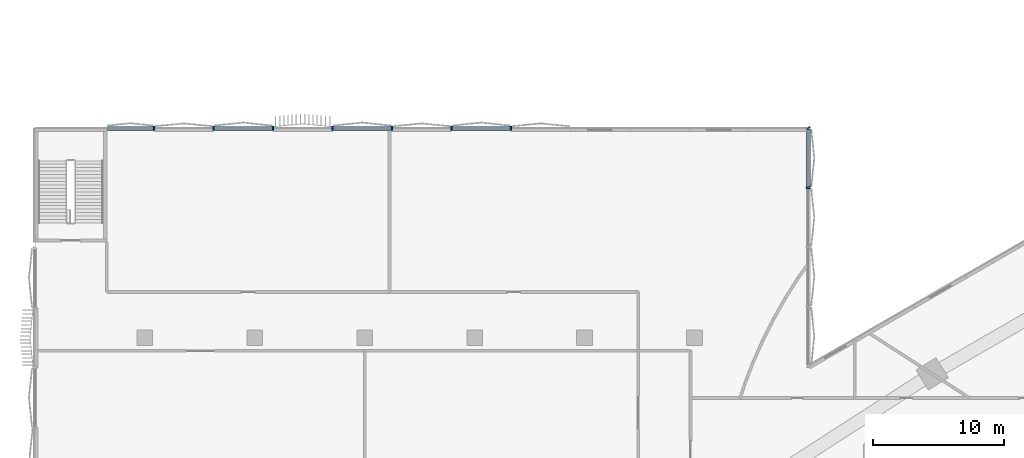
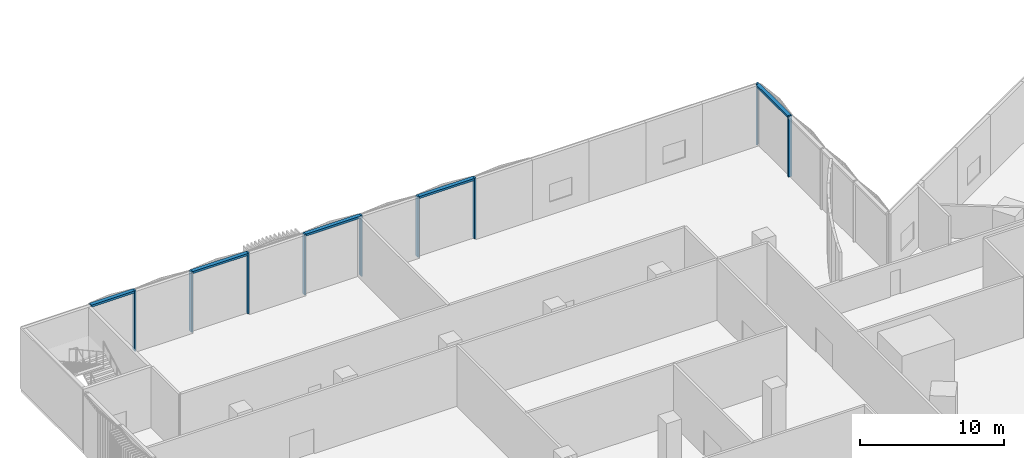
# One storey, part 8 of 31: 14 members, 2 elements without a shape of their own.
"""IFC4 building model written with IfcOpenShell, lengths in metres."""

from ifc_helpers import new_model, si_unit, direction, frame, origin, origin_2d, place, context, subcontext, project, spatial, rectangle, extrude, material, material_profile, profile_set, type_object, element, aggregate, save


model = new_model("IFC4")

# Units and contexts
model_context = context("Model", 3, precision=1e-05, world=origin(), true_north=direction((0.0, 1.0)))
body_context = subcontext(model_context, "Body", "Model", "MODEL_VIEW")
ifc_project = project(units=[si_unit("LENGTHUNIT", "METRE"), si_unit("AREAUNIT", "SQUARE_METRE"), si_unit("VOLUMEUNIT", "CUBIC_METRE"), si_unit("PLANEANGLEUNIT", "RADIAN"), si_unit("MASSUNIT", "GRAM", prefix="KILO")], contexts=[model_context])

# Site, building, storey
site_placement = place(None, origin())
site = spatial("IfcSite", under=ifc_project, at=site_placement, CompositionType="ELEMENT")
building_placement = place(site_placement, origin())
building = spatial("IfcBuilding", under=site, at=building_placement, Name="Tamra Quay Hotel Tower", CompositionType="ELEMENT")
storey_placement = place(building_placement, frame((0.0, 0.0, 14.0)))
storey = spatial("IfcBuildingStorey", under=building, at=storey_placement, Name="L02", CompositionType="ELEMENT", Elevation=14.0)

# Curtain wall, members
ifc_material = material(Name="Aluminium 6063 anodised dark grey", Category="aluminium")
curtain_wall_type = type_object("IfcCurtainWallType", Name="CW4 CURTAIN WALL", PredefinedType="NOTDEFINED", material=ifc_material)
curtain_wall_1_placement = place(storey_placement, origin())
curtain_wall_1 = element("IfcCurtainWall", 1, at=curtain_wall_1_placement, inside=storey, type_object=curtain_wall_type, Name="CW4 east face L02", PredefinedType="NOTDEFINED")
ifc_material_profile_1 = material_profile(ifc_material, rectangle(XDim=0.300048828125, YDim=0.1201171875, at=origin_2d()), Name="MULLION 120X300")
ifc_profile_set_1 = profile_set([ifc_material_profile_1], Name="Aluminium 6063 anodised dark grey")
member_type_1 = type_object("IfcMemberType", Name="MULLION CW4", PredefinedType="MULLION", material=ifc_profile_set_1)
member_1_placement = place(storey_placement, frame((-30.0, 27.464111328125, 0.0), z_axis=(0.0, 0.0, 1.0), x_axis=(1.0, 0.0, 0.0)))
member_1 = element("IfcMember", 2, at=member_1_placement, type_object=member_type_1, Name="CW4 mullion L02.E.21", PredefinedType="MULLION", context=body_context, shape_type="SweptSolid", body=[
    extrude(rectangle(XDim=0.300048828125, YDim=0.1201171875, at=origin_2d()), origin(), (0.0, 0.0, 1.0), 5.14990234375),
])
member_2_placement = place(storey_placement, frame((-30.0, 32.0, 0.0), z_axis=(0.0, 0.0, 1.0), x_axis=(0.707106781187, 0.707106781187, 0.0)))
member_2 = element("IfcMember", 3, at=member_2_placement, type_object=member_type_1, Name="CW4 mullion L02.E.22", PredefinedType="MULLION", context=body_context, shape_type="SweptSolid", body=[
    extrude(rectangle(XDim=0.300048828125, YDim=0.1201171875, at=origin_2d()), origin(), (0.0, 0.0, 1.0), 5.14990234375),
])

curtain_wall_2_placement = place(storey_placement, origin())
curtain_wall_2 = element("IfcCurtainWall", 4, at=curtain_wall_2_placement, inside=storey, type_object=curtain_wall_type, Name="CW4 north-west face L02", PredefinedType="NOTDEFINED")
member_3_placement = place(storey_placement, frame((-52.730712890625, 32.0, 0.0), z_axis=(0.0, 0.0, 1.0), x_axis=(0.0, 1.0, 0.0)))
member_3 = element("IfcMember", 5, at=member_3_placement, type_object=member_type_1, Name="CW4 mullion L02.NW.1", PredefinedType="MULLION", context=body_context, shape_type="SweptSolid", body=[
    extrude(rectangle(XDim=0.300048828125, YDim=0.1201171875, at=origin_2d()), origin(), (0.0, 0.0, 1.0), 5.14990234375),
])
member_4_placement = place(storey_placement, frame((-57.27685546875, 32.0, 0.0), z_axis=(0.0, 0.0, 1.0), x_axis=(0.0, 1.0, 0.0)))
member_4 = element("IfcMember", 6, at=member_4_placement, type_object=member_type_1, Name="CW4 mullion L02.NW.2", PredefinedType="MULLION", context=body_context, shape_type="SweptSolid", body=[
    extrude(rectangle(XDim=0.300048828125, YDim=0.1201171875, at=origin_2d()), origin(), (0.0, 0.0, 1.0), 5.14990234375),
])
member_5_placement = place(storey_placement, frame((-61.822998046875, 32.0, 0.0), z_axis=(0.0, 0.0, 1.0), x_axis=(0.0, 1.0, 0.0)))
member_5 = element("IfcMember", 7, at=member_5_placement, type_object=member_type_1, Name="CW4 mullion L02.NW.2", PredefinedType="MULLION", context=body_context, shape_type="SweptSolid", body=[
    extrude(rectangle(XDim=0.300048828125, YDim=0.1201171875, at=origin_2d()), origin(), (0.0, 0.0, 1.0), 5.14990234375),
])
member_6_placement = place(storey_placement, frame((-66.369140625, 32.0, 0.0), z_axis=(0.0, 0.0, 1.0), x_axis=(0.0, 1.0, 0.0)))
member_6 = element("IfcMember", 8, at=member_6_placement, type_object=member_type_1, Name="CW4 mullion L02.NW.3", PredefinedType="MULLION", context=body_context, shape_type="SweptSolid", body=[
    extrude(rectangle(XDim=0.300048828125, YDim=0.1201171875, at=origin_2d()), origin(), (0.0, 0.0, 1.0), 5.14990234375),
])
member_7_placement = place(storey_placement, frame((-70.915283203125, 32.0, 0.0), z_axis=(0.0, 0.0, 1.0), x_axis=(0.0, 1.0, 0.0)))
member_7 = element("IfcMember", 9, at=member_7_placement, type_object=member_type_1, Name="CW4 mullion L02.NW.3", PredefinedType="MULLION", context=body_context, shape_type="SweptSolid", body=[
    extrude(rectangle(XDim=0.300048828125, YDim=0.1201171875, at=origin_2d()), origin(), (0.0, 0.0, 1.0), 5.14990234375),
])
member_8_placement = place(storey_placement, frame((-75.46142578125, 32.0, 0.0), z_axis=(0.0, 0.0, 1.0), x_axis=(0.0, 1.0, 0.0)))
member_8 = element("IfcMember", 10, at=member_8_placement, type_object=member_type_1, Name="CW4 mullion L02.NW.4", PredefinedType="MULLION", context=body_context, shape_type="SweptSolid", body=[
    extrude(rectangle(XDim=0.300048828125, YDim=0.1201171875, at=origin_2d()), origin(), (0.0, 0.0, 1.0), 5.14990234375),
])
member_9_placement = place(storey_placement, frame((-80.0078125, 32.0, 0.0), z_axis=(0.0, 0.0, 1.0), x_axis=(0.0, 1.0, 0.0)))
member_9 = element("IfcMember", 11, at=member_9_placement, type_object=member_type_1, Name="CW4 mullion L02.NW.4", PredefinedType="MULLION", context=body_context, shape_type="SweptSolid", body=[
    extrude(rectangle(XDim=0.300048828125, YDim=0.1201171875, at=origin_2d()), origin(), (0.0, 0.0, 1.0), 5.14990234375),
])

# Member
ifc_material_profile_2 = material_profile(ifc_material, rectangle(XDim=0.300048828125, YDim=0.179931640625, at=origin_2d()), Name="TRANSOM 300X180")
ifc_profile_set_2 = profile_set([ifc_material_profile_2], Name="Aluminium 6063 anodised dark grey")
member_type_2 = type_object("IfcMemberType", Name="TRANSOM CW4", PredefinedType="USERDEFINED", material=ifc_profile_set_2)
member_10_placement = place(storey_placement, frame((-30.0, 27.524169921875, 5.06005859375), z_axis=(0.0, 1.0, 0.0), x_axis=(-1.0, 0.0, 0.0)))
member_10 = element("IfcMember", 12, at=member_10_placement, type_object=member_type_2, Name="CW4 transom L02.E.21", ObjectType="TRANSOM", PredefinedType="USERDEFINED", context=body_context, shape_type="SweptSolid", body=[
    extrude(rectangle(XDim=0.300048828125, YDim=0.179931640625, at=origin_2d()), origin(), (0.0, 0.0, 1.0), 4.415771484375),
])

aggregate(curtain_wall_1, [member_1, member_10, member_2])

member_11_placement = place(storey_placement, frame((-52.790771484375, 32.0, 5.06005859375), z_axis=(-1.0, 0.0, 0.0), x_axis=(0.0, -1.0, 0.0)))
member_11 = element("IfcMember", 13, at=member_11_placement, type_object=member_type_2, Name="CW4 transom L02.NW.1", ObjectType="TRANSOM", PredefinedType="USERDEFINED", context=body_context, shape_type="SweptSolid", body=[
    extrude(rectangle(XDim=0.300048828125, YDim=0.179931640625, at=origin_2d()), origin(), (0.0, 0.0, 1.0), 4.42626953125),
])

member_12_placement = place(storey_placement, frame((-61.883056640625, 32.0, 5.06005859375), z_axis=(-1.0, 0.0, 0.0), x_axis=(0.0, -1.0, 0.0)))
member_12 = element("IfcMember", 14, at=member_12_placement, type_object=member_type_2, Name="CW4 transom L02.NW.2", ObjectType="TRANSOM", PredefinedType="USERDEFINED", context=body_context, shape_type="SweptSolid", body=[
    extrude(rectangle(XDim=0.300048828125, YDim=0.179931640625, at=origin_2d()), origin(), (0.0, 0.0, 1.0), 4.42626953125),
])

member_13_placement = place(storey_placement, frame((-70.975341796875, 32.0, 5.06005859375), z_axis=(-1.0, 0.0, 0.0), x_axis=(0.0, -1.0, 0.0)))
member_13 = element("IfcMember", 15, at=member_13_placement, type_object=member_type_2, Name="CW4 transom L02.NW.3", ObjectType="TRANSOM", PredefinedType="USERDEFINED", context=body_context, shape_type="SweptSolid", body=[
    extrude(rectangle(XDim=0.300048828125, YDim=0.179931640625, at=origin_2d()), origin(), (0.0, 0.0, 1.0), 4.42626953125),
])

member_14_placement = place(storey_placement, frame((-80.067626953125, 32.0, 5.06005859375), z_axis=(-1.0, 0.0, 0.0), x_axis=(0.0, -1.0, 0.0)))
member_14 = element("IfcMember", 16, at=member_14_placement, type_object=member_type_2, Name="CW4 transom L02.NW.4", ObjectType="TRANSOM", PredefinedType="USERDEFINED", context=body_context, shape_type="SweptSolid", body=[
    extrude(rectangle(XDim=0.300048828125, YDim=0.179931640625, at=origin_2d()), origin(), (0.0, 0.0, 1.0), 3.472412109375),
])

aggregate(curtain_wall_2, [member_3, member_11, member_4, member_5, member_12, member_6, member_7, member_13, member_8, member_9, member_14])

save(model, "model.ifc")
